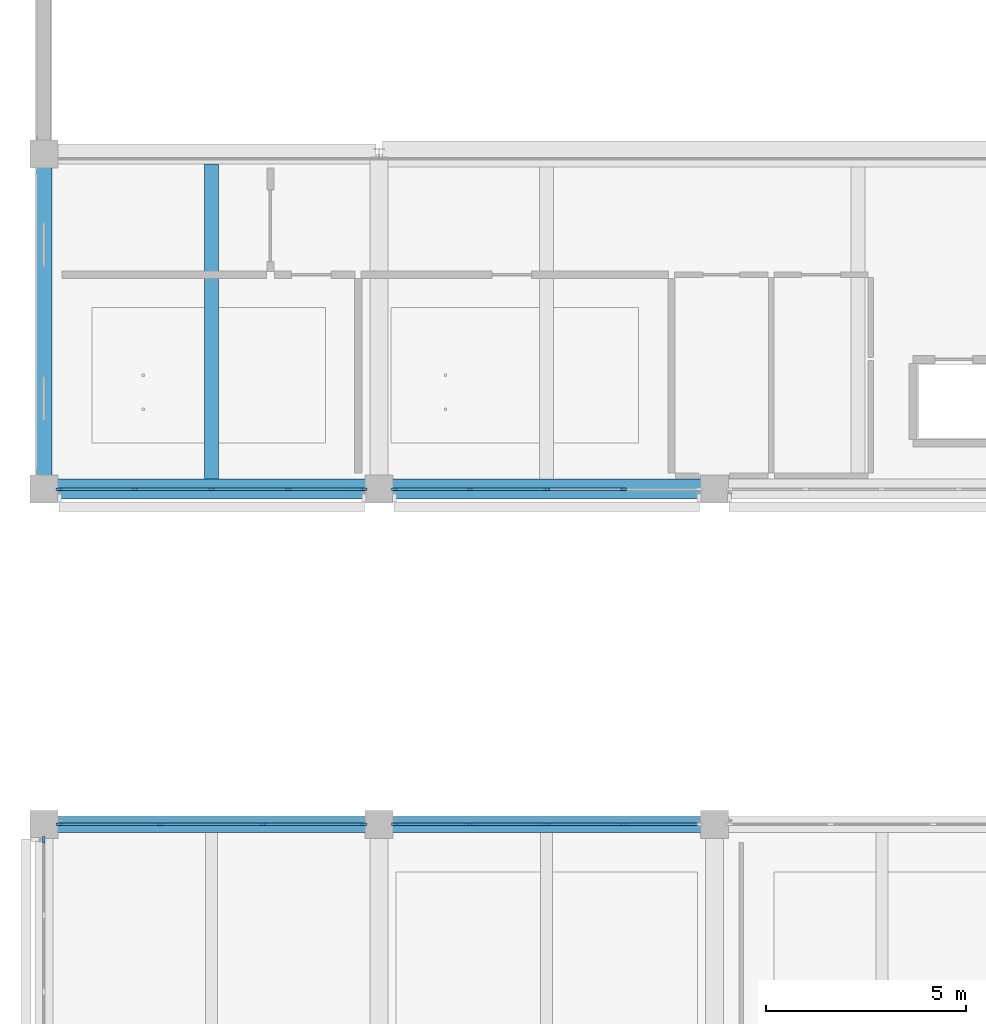
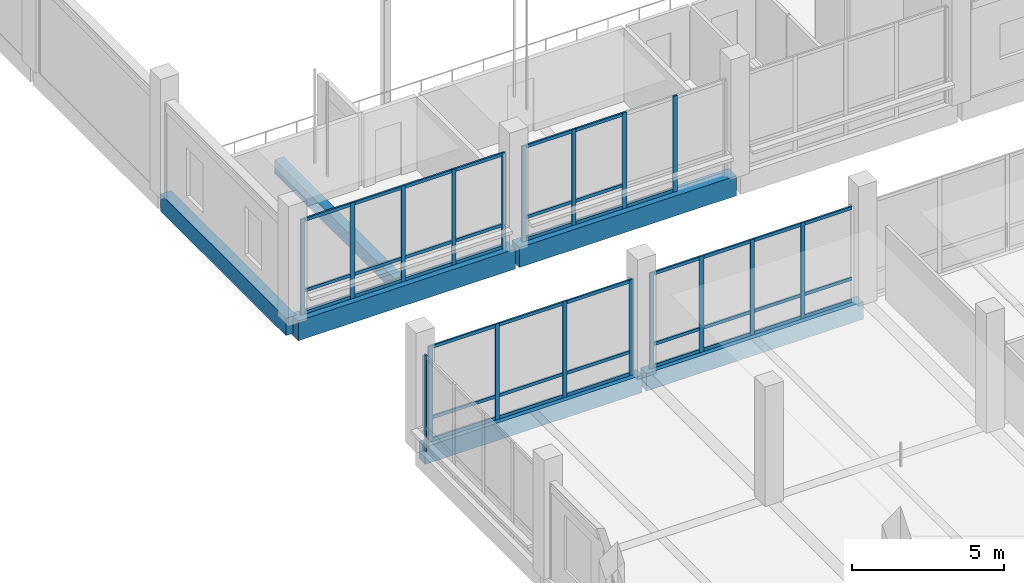
# One storey, part 29 of 128: 58 members, 6 beams, 5 elements without a shape of their own.
"""IFC4 building model written with IfcOpenShell, lengths in metres."""

from ifc_helpers import new_model, si_unit, direction, frame, origin, origin_2d, place, context, subcontext, project, spatial, rectangle, extrude, material, layer, layer_set, material_profile, profile_set, type_object, element, aggregate, save


model = new_model("IFC4")

# Units and contexts
model_context = context("Model", 3, precision=1e-05, world=origin(), true_north=direction((0.0, 1.0)))
body_context = subcontext(model_context, "Body", "Model", "MODEL_VIEW")
ifc_project = project(units=[si_unit("LENGTHUNIT", "METRE"), si_unit("AREAUNIT", "SQUARE_METRE"), si_unit("VOLUMEUNIT", "CUBIC_METRE"), si_unit("PLANEANGLEUNIT", "RADIAN"), si_unit("MASSUNIT", "GRAM", prefix="KILO")], contexts=[model_context])

# Site, building, storey
site_placement = place(None, origin())
site = spatial("IfcSite", under=ifc_project, at=site_placement, CompositionType="ELEMENT")
building_placement = place(site_placement, origin())
building = spatial("IfcBuilding", under=site, at=building_placement, Name="Telukmera Botanical Conservatory", CompositionType="ELEMENT")
storey_placement = place(building_placement, frame((0.0, 0.0, 5.39990234375)))
storey = spatial("IfcBuildingStorey", under=building, at=storey_placement, Name="L01", CompositionType="ELEMENT", Elevation=5.39990234375)

# Beams
ifc_material_1 = material(Name="Concrete C40/50", Category="concrete")
ifc_material_profile_1 = material_profile(ifc_material_1, rectangle(XDim=0.35009765625, YDim=0.550048828125, at=origin_2d()), Name="RC 350x550")
ifc_profile_set_1 = profile_set([ifc_material_profile_1], Name="Concrete C40/50")
beam_type_1 = type_object("IfcBeamType", Name="Beam_B21", PredefinedType="JOIST", material=ifc_profile_set_1)
beam_1_placement = place(storey_placement, frame((12.60009765625, 83.449951171875, -0.27490234375), z_axis=(0.0, 1.0, 0.0), x_axis=(-1.0, 0.0, 0.0)))
element("IfcBeam", 1, at=beam_1_placement, inside=storey, type_object=beam_type_1, Name="Auditorium Balcony Joist 1", PredefinedType="JOIST", context=body_context, shape_type="SweptSolid", body=[
    extrude(rectangle(XDim=0.35009765625, YDim=0.550048828125, at=origin_2d()), origin(), (0.0, 0.0, 1.0), 7.900146484375),
])
ifc_material_profile_2 = material_profile(ifc_material_1, rectangle(XDim=0.5, YDim=0.800048828125, at=origin_2d()), Name="RC 500x800")
ifc_profile_set_2 = profile_set([ifc_material_profile_2], Name="Concrete C40/50")
beam_type_2 = type_object("IfcBeamType", Name="Beam_B5", PredefinedType="BEAM", material=ifc_profile_set_2)
beam_2_placement = place(storey_placement, frame((8.47998046875, 83.199951171875, -0.39990234375), z_axis=(1.0, 0.0, 0.0), x_axis=(0.0, 1.0, 0.0)))
element("IfcBeam", 2, at=beam_2_placement, inside=storey, type_object=beam_type_2, Name="Auditorium Frame Beam beam:V2:L01:foy_s:84", PredefinedType="BEAM", context=body_context, shape_type="SweptSolid", body=[
    extrude(rectangle(XDim=0.5, YDim=0.800048828125, at=origin_2d()), origin(), (0.0, 0.0, 1.0), 8.239990234375),
])
beam_3_placement = place(storey_placement, frame((16.8798828125, 83.199951171875, -0.39990234375), z_axis=(1.0, 0.0, 0.0), x_axis=(0.0, 1.0, 0.0)))
element("IfcBeam", 3, at=beam_3_placement, inside=storey, type_object=beam_type_2, Name="Auditorium Frame Beam beam:V2:L01:foy_s:168", PredefinedType="BEAM", context=body_context, shape_type="SweptSolid", body=[
    extrude(rectangle(XDim=0.5, YDim=0.800048828125, at=origin_2d()), origin(), (0.0, 0.0, 1.0), 8.240234375),
])
ifc_material_profile_3 = material_profile(ifc_material_1, rectangle(XDim=0.39990234375, YDim=0.699951171875, at=origin_2d()), Name="RC 400x700")
ifc_profile_set_3 = profile_set([ifc_material_profile_3], Name="Concrete C40/50")
beam_type_3 = type_object("IfcBeamType", Name="Beam_B7", PredefinedType="BEAM", material=ifc_profile_set_3)
beam_4_placement = place(storey_placement, frame((8.47998046875, 74.800048828125, -0.349853515625), z_axis=(1.0, 0.0, 0.0), x_axis=(0.0, 1.0, 0.0)))
element("IfcBeam", 4, at=beam_4_placement, inside=storey, type_object=beam_type_3, Name="Visitor Wing Grid Beam L01", PredefinedType="BEAM", context=body_context, shape_type="SweptSolid", body=[
    extrude(rectangle(XDim=0.39990234375, YDim=0.699951171875, at=origin_2d()), origin(), (0.0, 0.0, 1.0), 8.239990234375),
])
beam_5_placement = place(storey_placement, frame((16.8798828125, 74.800048828125, -0.349853515625), z_axis=(1.0, 0.0, 0.0), x_axis=(0.0, 1.0, 0.0)))
element("IfcBeam", 5, at=beam_5_placement, inside=storey, type_object=beam_type_3, Name="Visitor Wing Grid Beam L01", PredefinedType="BEAM", context=body_context, shape_type="SweptSolid", body=[
    extrude(rectangle(XDim=0.39990234375, YDim=0.699951171875, at=origin_2d()), origin(), (0.0, 0.0, 1.0), 8.240234375),
])
beam_6_placement = place(storey_placement, frame((8.39990234375, 83.280029296875, -0.349853515625), z_axis=(0.0, 1.0, 0.0), x_axis=(-1.0, 0.0, 0.0)))
element("IfcBeam", 6, at=beam_6_placement, inside=storey, type_object=beam_type_3, Name="Auditorium Frame Beam beam:V2:L01:gy:84:832", PredefinedType="BEAM", context=body_context, shape_type="SweptSolid", body=[
    extrude(rectangle(XDim=0.39990234375, YDim=0.699951171875, at=origin_2d()), origin(), (0.0, 0.0, 1.0), 8.239990234375),
])

# Curtain wall, members
ifc_material_2 = material(Name="Anodised aluminium 6063-T6", Category="aluminium")
ifc_layer_1 = layer(ifc_material_2, 0.179931640625)
ifc_layer_set_1 = layer_set([ifc_layer_1], Name="Anodised aluminium 6063-T6")
curtain_wall_type_1 = type_object("IfcCurtainWallType", Name="Auditorium Upper Foyer Acoustic Curtain Wall", PredefinedType="USERDEFINED", material=ifc_layer_set_1)
curtain_wall_1_placement = place(storey_placement, origin())
curtain_wall_1 = element("IfcCurtainWall", 7, at=curtain_wall_1_placement, inside=storey, type_object=curtain_wall_type_1, Name="Unitised Curtain Wall CW05 V2:L01:S1", ObjectType="UNITISED CURTAIN WALL", PredefinedType="USERDEFINED")
ifc_material_profile_4 = material_profile(ifc_material_2, rectangle(XDim=0.06494140625, YDim=0.159912109375, at=origin_2d()), Name="ALU MULL 65x160")
ifc_profile_set_4 = profile_set([ifc_material_profile_4], Name="Anodised aluminium 6063-T6")
member_type_1 = type_object("IfcMemberType", Name="Curtain Wall Extruded Mullion 65x160", PredefinedType="MULLION", material=ifc_profile_set_4)
member_1_placement = place(storey_placement, frame((8.784423828125, 83.199951171875, 0.0), z_axis=(0.0, 0.0, 1.0), x_axis=(0.0, 1.0, 0.0)))
member_1 = element("IfcMember", 8, at=member_1_placement, type_object=member_type_1, Name="CW05 mullion 1", PredefinedType="MULLION", context=body_context, shape_type="SweptSolid", body=[
    extrude(rectangle(XDim=0.06494140625, YDim=0.159912109375, at=origin_2d()), origin(), (0.0, 0.0, 1.0), 3.85009765625),
])
member_2_placement = place(storey_placement, frame((10.676025390625, 83.199951171875, 0.0), z_axis=(0.0, 0.0, 1.0), x_axis=(0.0, 1.0, 0.0)))
member_2 = element("IfcMember", 9, at=member_2_placement, type_object=member_type_1, Name="CW05 mullion 2", PredefinedType="MULLION", context=body_context, shape_type="SweptSolid", body=[
    extrude(rectangle(XDim=0.06494140625, YDim=0.159912109375, at=origin_2d()), origin(), (0.0, 0.0, 1.0), 3.85009765625),
])
member_3_placement = place(storey_placement, frame((12.60009765625, 83.199951171875, 0.0), z_axis=(0.0, 0.0, 1.0), x_axis=(0.0, 1.0, 0.0)))
member_3 = element("IfcMember", 10, at=member_3_placement, type_object=member_type_1, Name="CW05 mullion 3", PredefinedType="MULLION", context=body_context, shape_type="SweptSolid", body=[
    extrude(rectangle(XDim=0.06494140625, YDim=0.159912109375, at=origin_2d()), origin(), (0.0, 0.0, 1.0), 3.85009765625),
])
member_4_placement = place(storey_placement, frame((14.52392578125, 83.199951171875, 0.0), z_axis=(0.0, 0.0, 1.0), x_axis=(0.0, 1.0, 0.0)))
member_4 = element("IfcMember", 11, at=member_4_placement, type_object=member_type_1, Name="CW05 mullion 4", PredefinedType="MULLION", context=body_context, shape_type="SweptSolid", body=[
    extrude(rectangle(XDim=0.06494140625, YDim=0.159912109375, at=origin_2d()), origin(), (0.0, 0.0, 1.0), 3.85009765625),
])
member_5_placement = place(storey_placement, frame((16.41552734375, 83.199951171875, 0.0), z_axis=(0.0, 0.0, 1.0), x_axis=(0.0, 1.0, 0.0)))
member_5 = element("IfcMember", 12, at=member_5_placement, type_object=member_type_1, Name="CW05 mullion 5", PredefinedType="MULLION", context=body_context, shape_type="SweptSolid", body=[
    extrude(rectangle(XDim=0.06494140625, YDim=0.159912109375, at=origin_2d()), origin(), (0.0, 0.0, 1.0), 3.85009765625),
])

curtain_wall_2_placement = place(storey_placement, origin())
curtain_wall_2 = element("IfcCurtainWall", 13, at=curtain_wall_2_placement, inside=storey, type_object=curtain_wall_type_1, Name="Unitised Curtain Wall CW05 V2:L01:S2", ObjectType="UNITISED CURTAIN WALL", PredefinedType="USERDEFINED")
member_6_placement = place(storey_placement, frame((17.1845703125, 83.199951171875, 0.0), z_axis=(0.0, 0.0, 1.0), x_axis=(0.0, 1.0, 0.0)))
member_6 = element("IfcMember", 14, at=member_6_placement, type_object=member_type_1, Name="CW05 mullion 1", PredefinedType="MULLION", context=body_context, shape_type="SweptSolid", body=[
    extrude(rectangle(XDim=0.06494140625, YDim=0.159912109375, at=origin_2d()), origin(), (0.0, 0.0, 1.0), 3.85009765625),
])
member_7_placement = place(storey_placement, frame((19.075927734375, 83.199951171875, 0.0), z_axis=(0.0, 0.0, 1.0), x_axis=(0.0, 1.0, 0.0)))
member_7 = element("IfcMember", 15, at=member_7_placement, type_object=member_type_1, Name="CW05 mullion 2", PredefinedType="MULLION", context=body_context, shape_type="SweptSolid", body=[
    extrude(rectangle(XDim=0.06494140625, YDim=0.159912109375, at=origin_2d()), origin(), (0.0, 0.0, 1.0), 3.85009765625),
])
member_8_placement = place(storey_placement, frame((21.0, 83.199951171875, 0.0), z_axis=(0.0, 0.0, 1.0), x_axis=(0.0, 1.0, 0.0)))
member_8 = element("IfcMember", 16, at=member_8_placement, type_object=member_type_1, Name="CW05 mullion 3", PredefinedType="MULLION", context=body_context, shape_type="SweptSolid", body=[
    extrude(rectangle(XDim=0.06494140625, YDim=0.159912109375, at=origin_2d()), origin(), (0.0, 0.0, 1.0), 3.85009765625),
])
member_9_placement = place(storey_placement, frame((22.924072265625, 83.199951171875, 0.0), z_axis=(0.0, 0.0, 1.0), x_axis=(0.0, 1.0, 0.0)))
member_9 = element("IfcMember", 17, at=member_9_placement, type_object=member_type_1, Name="CW05 mullion 4", PredefinedType="MULLION", context=body_context, shape_type="SweptSolid", body=[
    extrude(rectangle(XDim=0.06494140625, YDim=0.159912109375, at=origin_2d()), origin(), (0.0, 0.0, 1.0), 3.85009765625),
])

ifc_layer_2 = layer(ifc_material_2, 0.179931640625)
ifc_layer_set_2 = layer_set([ifc_layer_2], Name="Anodised aluminium 6063-T6")
curtain_wall_type_2 = type_object("IfcCurtainWallType", Name="Visitor Gallery Second Floor Curtain Wall 2400 Mod", PredefinedType="USERDEFINED", material=ifc_layer_set_2)
curtain_wall_3_placement = place(storey_placement, origin())
curtain_wall_3 = element("IfcCurtainWall", 18, at=curtain_wall_3_placement, inside=storey, type_object=curtain_wall_type_2, Name="Unitised Curtain Wall CW09 V3:L01:N1", ObjectType="UNITISED CURTAIN WALL", PredefinedType="USERDEFINED")
member_10_placement = place(storey_placement, frame((8.784423828125, 74.800048828125, 0.0), z_axis=(0.0, 0.0, 1.0), x_axis=(0.0, 1.0, 0.0)))
member_10 = element("IfcMember", 19, at=member_10_placement, type_object=member_type_1, Name="CW09 mullion 1", PredefinedType="MULLION", context=body_context, shape_type="SweptSolid", body=[
    extrude(rectangle(XDim=0.06494140625, YDim=0.159912109375, at=origin_2d()), origin(), (0.0, 0.0, 1.0), 3.85009765625),
])
member_11_placement = place(storey_placement, frame((11.3173828125, 74.800048828125, 0.0), z_axis=(0.0, 0.0, 1.0), x_axis=(0.0, 1.0, 0.0)))
member_11 = element("IfcMember", 20, at=member_11_placement, type_object=member_type_1, Name="CW09 mullion 2", PredefinedType="MULLION", context=body_context, shape_type="SweptSolid", body=[
    extrude(rectangle(XDim=0.06494140625, YDim=0.159912109375, at=origin_2d()), origin(), (0.0, 0.0, 1.0), 3.85009765625),
])
member_12_placement = place(storey_placement, frame((13.882568359375, 74.800048828125, 0.0), z_axis=(0.0, 0.0, 1.0), x_axis=(0.0, 1.0, 0.0)))
member_12 = element("IfcMember", 21, at=member_12_placement, type_object=member_type_1, Name="CW09 mullion 3", PredefinedType="MULLION", context=body_context, shape_type="SweptSolid", body=[
    extrude(rectangle(XDim=0.06494140625, YDim=0.159912109375, at=origin_2d()), origin(), (0.0, 0.0, 1.0), 3.85009765625),
])
member_13_placement = place(storey_placement, frame((16.41552734375, 74.800048828125, 0.0), z_axis=(0.0, 0.0, 1.0), x_axis=(0.0, 1.0, 0.0)))
member_13 = element("IfcMember", 22, at=member_13_placement, type_object=member_type_1, Name="CW09 mullion 4", PredefinedType="MULLION", context=body_context, shape_type="SweptSolid", body=[
    extrude(rectangle(XDim=0.06494140625, YDim=0.159912109375, at=origin_2d()), origin(), (0.0, 0.0, 1.0), 3.85009765625),
])

ifc_layer_3 = layer(ifc_material_2, 0.179931640625)
ifc_layer_set_3 = layer_set([ifc_layer_3], Name="Anodised aluminium 6063-T6")
curtain_wall_type_3 = type_object("IfcCurtainWallType", Name="Visitor Gallery First Floor Curtain Wall 1800 Mod", PredefinedType="USERDEFINED", material=ifc_layer_set_3)
curtain_wall_4_placement = place(storey_placement, origin())
curtain_wall_4 = element("IfcCurtainWall", 23, at=curtain_wall_4_placement, inside=storey, type_object=curtain_wall_type_3, Name="Unitised Curtain Wall CW08 V3:L01:N2", ObjectType="UNITISED CURTAIN WALL", PredefinedType="USERDEFINED")
member_14_placement = place(storey_placement, frame((17.1845703125, 74.800048828125, 0.0), z_axis=(0.0, 0.0, 1.0), x_axis=(0.0, 1.0, 0.0)))
member_14 = element("IfcMember", 24, at=member_14_placement, type_object=member_type_1, Name="CW08 mullion 1", PredefinedType="MULLION", context=body_context, shape_type="SweptSolid", body=[
    extrude(rectangle(XDim=0.06494140625, YDim=0.159912109375, at=origin_2d()), origin(), (0.0, 0.0, 1.0), 3.85009765625),
])
member_15_placement = place(storey_placement, frame((19.075927734375, 74.800048828125, 0.0), z_axis=(0.0, 0.0, 1.0), x_axis=(0.0, 1.0, 0.0)))
member_15 = element("IfcMember", 25, at=member_15_placement, type_object=member_type_1, Name="CW08 mullion 2", PredefinedType="MULLION", context=body_context, shape_type="SweptSolid", body=[
    extrude(rectangle(XDim=0.06494140625, YDim=0.159912109375, at=origin_2d()), origin(), (0.0, 0.0, 1.0), 3.85009765625),
])
member_16_placement = place(storey_placement, frame((21.0, 74.800048828125, 0.0), z_axis=(0.0, 0.0, 1.0), x_axis=(0.0, 1.0, 0.0)))
member_16 = element("IfcMember", 26, at=member_16_placement, type_object=member_type_1, Name="CW08 mullion 3", PredefinedType="MULLION", context=body_context, shape_type="SweptSolid", body=[
    extrude(rectangle(XDim=0.06494140625, YDim=0.159912109375, at=origin_2d()), origin(), (0.0, 0.0, 1.0), 3.85009765625),
])
member_17_placement = place(storey_placement, frame((22.924072265625, 74.800048828125, 0.0), z_axis=(0.0, 0.0, 1.0), x_axis=(0.0, 1.0, 0.0)))
member_17 = element("IfcMember", 27, at=member_17_placement, type_object=member_type_1, Name="CW08 mullion 4", PredefinedType="MULLION", context=body_context, shape_type="SweptSolid", body=[
    extrude(rectangle(XDim=0.06494140625, YDim=0.159912109375, at=origin_2d()), origin(), (0.0, 0.0, 1.0), 3.85009765625),
])

# Curtain wall, member
curtain_wall_5_placement = place(storey_placement, origin())
curtain_wall_5 = element("IfcCurtainWall", 28, at=curtain_wall_5_placement, inside=storey, type_object=curtain_wall_type_3, Name="Unitised Curtain Wall CW08 V3:L01:W7", ObjectType="UNITISED CURTAIN WALL", PredefinedType="USERDEFINED")
member_18_placement = place(storey_placement, frame((8.39990234375, 74.41552734375, 0.0), z_axis=(0.0, 0.0, 1.0), x_axis=(-1.0, 0.0, 0.0)))
member_18 = element("IfcMember", 29, at=member_18_placement, type_object=member_type_1, Name="CW08 mullion 5", PredefinedType="MULLION", context=body_context, shape_type="SweptSolid", body=[
    extrude(rectangle(XDim=0.06494140625, YDim=0.159912109375, at=origin_2d()), origin(), (0.0, 0.0, 1.0), 3.85009765625),
])
aggregate(curtain_wall_5, [member_18])

# Member
ifc_material_profile_5 = material_profile(ifc_material_2, rectangle(XDim=0.06494140625, YDim=0.1298828125, at=origin_2d()), Name="ALU TRAN 65x130")
ifc_profile_set_5 = profile_set([ifc_material_profile_5], Name="Anodised aluminium 6063-T6")
member_type_2 = type_object("IfcMemberType", Name="Curtain Wall Extruded Transom 65x130", PredefinedType="USERDEFINED", material=ifc_profile_set_5)
member_19_placement = place(storey_placement, frame((8.81689453125, 83.199951171875, 0.065185546875), z_axis=(1.0, 0.0, 0.0), x_axis=(0.0, 1.0, 0.0)))
member_19 = element("IfcMember", 30, at=member_19_placement, type_object=member_type_2, Name="CW05 transom 1.1", ObjectType="TRANSOM", PredefinedType="USERDEFINED", context=body_context, shape_type="SweptSolid", body=[
    extrude(rectangle(XDim=0.06494140625, YDim=0.1298828125, at=origin_2d()), origin(), (0.0, 0.0, 1.0), 1.82666015625),
])

member_20_placement = place(storey_placement, frame((8.81689453125, 83.199951171875, 0.9501953125), z_axis=(1.0, 0.0, 0.0), x_axis=(0.0, 1.0, 0.0)))
member_20 = element("IfcMember", 31, at=member_20_placement, type_object=member_type_2, Name="CW05 transom 1.2", ObjectType="TRANSOM", PredefinedType="USERDEFINED", context=body_context, shape_type="SweptSolid", body=[
    extrude(rectangle(XDim=0.06494140625, YDim=0.1298828125, at=origin_2d()), origin(), (0.0, 0.0, 1.0), 1.82666015625),
])

member_21_placement = place(storey_placement, frame((8.81689453125, 83.199951171875, 3.78515625), z_axis=(1.0, 0.0, 0.0), x_axis=(0.0, 1.0, 0.0)))
member_21 = element("IfcMember", 32, at=member_21_placement, type_object=member_type_2, Name="CW05 transom 1.3", ObjectType="TRANSOM", PredefinedType="USERDEFINED", context=body_context, shape_type="SweptSolid", body=[
    extrude(rectangle(XDim=0.06494140625, YDim=0.1298828125, at=origin_2d()), origin(), (0.0, 0.0, 1.0), 1.82666015625),
])

member_22_placement = place(storey_placement, frame((10.70849609375, 83.199951171875, 0.065185546875), z_axis=(1.0, 0.0, 0.0), x_axis=(0.0, 1.0, 0.0)))
member_22 = element("IfcMember", 33, at=member_22_placement, type_object=member_type_2, Name="CW05 transom 2.1", ObjectType="TRANSOM", PredefinedType="USERDEFINED", context=body_context, shape_type="SweptSolid", body=[
    extrude(rectangle(XDim=0.06494140625, YDim=0.1298828125, at=origin_2d()), origin(), (0.0, 0.0, 1.0), 1.85888671875),
])

member_23_placement = place(storey_placement, frame((10.70849609375, 83.199951171875, 0.9501953125), z_axis=(1.0, 0.0, 0.0), x_axis=(0.0, 1.0, 0.0)))
member_23 = element("IfcMember", 34, at=member_23_placement, type_object=member_type_2, Name="CW05 transom 2.2", ObjectType="TRANSOM", PredefinedType="USERDEFINED", context=body_context, shape_type="SweptSolid", body=[
    extrude(rectangle(XDim=0.06494140625, YDim=0.1298828125, at=origin_2d()), origin(), (0.0, 0.0, 1.0), 1.85888671875),
])

member_24_placement = place(storey_placement, frame((10.70849609375, 83.199951171875, 3.78515625), z_axis=(1.0, 0.0, 0.0), x_axis=(0.0, 1.0, 0.0)))
member_24 = element("IfcMember", 35, at=member_24_placement, type_object=member_type_2, Name="CW05 transom 2.3", ObjectType="TRANSOM", PredefinedType="USERDEFINED", context=body_context, shape_type="SweptSolid", body=[
    extrude(rectangle(XDim=0.06494140625, YDim=0.1298828125, at=origin_2d()), origin(), (0.0, 0.0, 1.0), 1.85888671875),
])

member_25_placement = place(storey_placement, frame((12.632568359375, 83.199951171875, 0.065185546875), z_axis=(1.0, 0.0, 0.0), x_axis=(0.0, 1.0, 0.0)))
member_25 = element("IfcMember", 36, at=member_25_placement, type_object=member_type_2, Name="CW05 transom 3.1", ObjectType="TRANSOM", PredefinedType="USERDEFINED", context=body_context, shape_type="SweptSolid", body=[
    extrude(rectangle(XDim=0.06494140625, YDim=0.1298828125, at=origin_2d()), origin(), (0.0, 0.0, 1.0), 1.85888671875),
])

member_26_placement = place(storey_placement, frame((12.632568359375, 83.199951171875, 0.9501953125), z_axis=(1.0, 0.0, 0.0), x_axis=(0.0, 1.0, 0.0)))
member_26 = element("IfcMember", 37, at=member_26_placement, type_object=member_type_2, Name="CW05 transom 3.2", ObjectType="TRANSOM", PredefinedType="USERDEFINED", context=body_context, shape_type="SweptSolid", body=[
    extrude(rectangle(XDim=0.06494140625, YDim=0.1298828125, at=origin_2d()), origin(), (0.0, 0.0, 1.0), 1.85888671875),
])

member_27_placement = place(storey_placement, frame((12.632568359375, 83.199951171875, 3.78515625), z_axis=(1.0, 0.0, 0.0), x_axis=(0.0, 1.0, 0.0)))
member_27 = element("IfcMember", 38, at=member_27_placement, type_object=member_type_2, Name="CW05 transom 3.3", ObjectType="TRANSOM", PredefinedType="USERDEFINED", context=body_context, shape_type="SweptSolid", body=[
    extrude(rectangle(XDim=0.06494140625, YDim=0.1298828125, at=origin_2d()), origin(), (0.0, 0.0, 1.0), 1.85888671875),
])

member_28_placement = place(storey_placement, frame((14.556396484375, 83.199951171875, 0.065185546875), z_axis=(1.0, 0.0, 0.0), x_axis=(0.0, 1.0, 0.0)))
member_28 = element("IfcMember", 39, at=member_28_placement, type_object=member_type_2, Name="CW05 transom 4.1", ObjectType="TRANSOM", PredefinedType="USERDEFINED", context=body_context, shape_type="SweptSolid", body=[
    extrude(rectangle(XDim=0.06494140625, YDim=0.1298828125, at=origin_2d()), origin(), (0.0, 0.0, 1.0), 1.82666015625),
])

member_29_placement = place(storey_placement, frame((14.556396484375, 83.199951171875, 0.9501953125), z_axis=(1.0, 0.0, 0.0), x_axis=(0.0, 1.0, 0.0)))
member_29 = element("IfcMember", 40, at=member_29_placement, type_object=member_type_2, Name="CW05 transom 4.2", ObjectType="TRANSOM", PredefinedType="USERDEFINED", context=body_context, shape_type="SweptSolid", body=[
    extrude(rectangle(XDim=0.06494140625, YDim=0.1298828125, at=origin_2d()), origin(), (0.0, 0.0, 1.0), 1.82666015625),
])

member_30_placement = place(storey_placement, frame((14.556396484375, 83.199951171875, 3.78515625), z_axis=(1.0, 0.0, 0.0), x_axis=(0.0, 1.0, 0.0)))
member_30 = element("IfcMember", 41, at=member_30_placement, type_object=member_type_2, Name="CW05 transom 4.3", ObjectType="TRANSOM", PredefinedType="USERDEFINED", context=body_context, shape_type="SweptSolid", body=[
    extrude(rectangle(XDim=0.06494140625, YDim=0.1298828125, at=origin_2d()), origin(), (0.0, 0.0, 1.0), 1.82666015625),
])

aggregate(curtain_wall_1, [member_1, member_2, member_3, member_4, member_5, member_19, member_20, member_21, member_22, member_23, member_24, member_25, member_26, member_27, member_28, member_29, member_30])

member_31_placement = place(storey_placement, frame((17.217041015625, 83.199951171875, 0.065185546875), z_axis=(1.0, 0.0, 0.0), x_axis=(0.0, 1.0, 0.0)))
member_31 = element("IfcMember", 42, at=member_31_placement, type_object=member_type_2, Name="CW05 transom 1.1", ObjectType="TRANSOM", PredefinedType="USERDEFINED", context=body_context, shape_type="SweptSolid", body=[
    extrude(rectangle(XDim=0.06494140625, YDim=0.1298828125, at=origin_2d()), origin(), (0.0, 0.0, 1.0), 1.826416015625),
])

member_32_placement = place(storey_placement, frame((17.217041015625, 83.199951171875, 0.9501953125), z_axis=(1.0, 0.0, 0.0), x_axis=(0.0, 1.0, 0.0)))
member_32 = element("IfcMember", 43, at=member_32_placement, type_object=member_type_2, Name="CW05 transom 1.2", ObjectType="TRANSOM", PredefinedType="USERDEFINED", context=body_context, shape_type="SweptSolid", body=[
    extrude(rectangle(XDim=0.06494140625, YDim=0.1298828125, at=origin_2d()), origin(), (0.0, 0.0, 1.0), 1.826416015625),
])

member_33_placement = place(storey_placement, frame((17.217041015625, 83.199951171875, 3.78515625), z_axis=(1.0, 0.0, 0.0), x_axis=(0.0, 1.0, 0.0)))
member_33 = element("IfcMember", 44, at=member_33_placement, type_object=member_type_2, Name="CW05 transom 1.3", ObjectType="TRANSOM", PredefinedType="USERDEFINED", context=body_context, shape_type="SweptSolid", body=[
    extrude(rectangle(XDim=0.06494140625, YDim=0.1298828125, at=origin_2d()), origin(), (0.0, 0.0, 1.0), 1.826416015625),
])

member_34_placement = place(storey_placement, frame((19.1083984375, 83.199951171875, 0.065185546875), z_axis=(1.0, 0.0, 0.0), x_axis=(0.0, 1.0, 0.0)))
member_34 = element("IfcMember", 45, at=member_34_placement, type_object=member_type_2, Name="CW05 transom 2.1", ObjectType="TRANSOM", PredefinedType="USERDEFINED", context=body_context, shape_type="SweptSolid", body=[
    extrude(rectangle(XDim=0.06494140625, YDim=0.1298828125, at=origin_2d()), origin(), (0.0, 0.0, 1.0), 1.859130859375),
])

member_35_placement = place(storey_placement, frame((19.1083984375, 83.199951171875, 0.9501953125), z_axis=(1.0, 0.0, 0.0), x_axis=(0.0, 1.0, 0.0)))
member_35 = element("IfcMember", 46, at=member_35_placement, type_object=member_type_2, Name="CW05 transom 2.2", ObjectType="TRANSOM", PredefinedType="USERDEFINED", context=body_context, shape_type="SweptSolid", body=[
    extrude(rectangle(XDim=0.06494140625, YDim=0.1298828125, at=origin_2d()), origin(), (0.0, 0.0, 1.0), 1.859130859375),
])

member_36_placement = place(storey_placement, frame((19.1083984375, 83.199951171875, 3.78515625), z_axis=(1.0, 0.0, 0.0), x_axis=(0.0, 1.0, 0.0)))
member_36 = element("IfcMember", 47, at=member_36_placement, type_object=member_type_2, Name="CW05 transom 2.3", ObjectType="TRANSOM", PredefinedType="USERDEFINED", context=body_context, shape_type="SweptSolid", body=[
    extrude(rectangle(XDim=0.06494140625, YDim=0.1298828125, at=origin_2d()), origin(), (0.0, 0.0, 1.0), 1.859130859375),
])

member_37_placement = place(storey_placement, frame((21.032470703125, 83.199951171875, 0.065185546875), z_axis=(1.0, 0.0, 0.0), x_axis=(0.0, 1.0, 0.0)))
member_37 = element("IfcMember", 48, at=member_37_placement, type_object=member_type_2, Name="CW05 transom 3.1", ObjectType="TRANSOM", PredefinedType="USERDEFINED", context=body_context, shape_type="SweptSolid", body=[
    extrude(rectangle(XDim=0.06494140625, YDim=0.1298828125, at=origin_2d()), origin(), (0.0, 0.0, 1.0), 1.859130859375),
])

aggregate(curtain_wall_2, [member_6, member_7, member_8, member_9, member_31, member_32, member_33, member_34, member_35, member_36, member_37])

member_38_placement = place(storey_placement, frame((8.81689453125, 74.800048828125, 0.065185546875), z_axis=(1.0, 0.0, 0.0), x_axis=(0.0, 1.0, 0.0)))
member_38 = element("IfcMember", 49, at=member_38_placement, type_object=member_type_2, Name="CW09 transom 1.1", ObjectType="TRANSOM", PredefinedType="USERDEFINED", context=body_context, shape_type="SweptSolid", body=[
    extrude(rectangle(XDim=0.06494140625, YDim=0.1298828125, at=origin_2d()), origin(), (0.0, 0.0, 1.0), 2.468017578125),
])

member_39_placement = place(storey_placement, frame((8.81689453125, 74.800048828125, 0.9501953125), z_axis=(1.0, 0.0, 0.0), x_axis=(0.0, 1.0, 0.0)))
member_39 = element("IfcMember", 50, at=member_39_placement, type_object=member_type_2, Name="CW09 transom 1.2", ObjectType="TRANSOM", PredefinedType="USERDEFINED", context=body_context, shape_type="SweptSolid", body=[
    extrude(rectangle(XDim=0.06494140625, YDim=0.1298828125, at=origin_2d()), origin(), (0.0, 0.0, 1.0), 2.468017578125),
])

member_40_placement = place(storey_placement, frame((8.81689453125, 74.800048828125, 3.78515625), z_axis=(1.0, 0.0, 0.0), x_axis=(0.0, 1.0, 0.0)))
member_40 = element("IfcMember", 51, at=member_40_placement, type_object=member_type_2, Name="CW09 transom 1.3", ObjectType="TRANSOM", PredefinedType="USERDEFINED", context=body_context, shape_type="SweptSolid", body=[
    extrude(rectangle(XDim=0.06494140625, YDim=0.1298828125, at=origin_2d()), origin(), (0.0, 0.0, 1.0), 2.468017578125),
])

member_41_placement = place(storey_placement, frame((11.349853515625, 74.800048828125, 0.065185546875), z_axis=(1.0, 0.0, 0.0), x_axis=(0.0, 1.0, 0.0)))
member_41 = element("IfcMember", 52, at=member_41_placement, type_object=member_type_2, Name="CW09 transom 2.1", ObjectType="TRANSOM", PredefinedType="USERDEFINED", context=body_context, shape_type="SweptSolid", body=[
    extrude(rectangle(XDim=0.06494140625, YDim=0.1298828125, at=origin_2d()), origin(), (0.0, 0.0, 1.0), 2.500244140625),
])

member_42_placement = place(storey_placement, frame((11.349853515625, 74.800048828125, 0.9501953125), z_axis=(1.0, 0.0, 0.0), x_axis=(0.0, 1.0, 0.0)))
member_42 = element("IfcMember", 53, at=member_42_placement, type_object=member_type_2, Name="CW09 transom 2.2", ObjectType="TRANSOM", PredefinedType="USERDEFINED", context=body_context, shape_type="SweptSolid", body=[
    extrude(rectangle(XDim=0.06494140625, YDim=0.1298828125, at=origin_2d()), origin(), (0.0, 0.0, 1.0), 2.500244140625),
])

member_43_placement = place(storey_placement, frame((11.349853515625, 74.800048828125, 3.78515625), z_axis=(1.0, 0.0, 0.0), x_axis=(0.0, 1.0, 0.0)))
member_43 = element("IfcMember", 54, at=member_43_placement, type_object=member_type_2, Name="CW09 transom 2.3", ObjectType="TRANSOM", PredefinedType="USERDEFINED", context=body_context, shape_type="SweptSolid", body=[
    extrude(rectangle(XDim=0.06494140625, YDim=0.1298828125, at=origin_2d()), origin(), (0.0, 0.0, 1.0), 2.500244140625),
])

member_44_placement = place(storey_placement, frame((13.915283203125, 74.800048828125, 0.065185546875), z_axis=(1.0, 0.0, 0.0), x_axis=(0.0, 1.0, 0.0)))
member_44 = element("IfcMember", 55, at=member_44_placement, type_object=member_type_2, Name="CW09 transom 3.1", ObjectType="TRANSOM", PredefinedType="USERDEFINED", context=body_context, shape_type="SweptSolid", body=[
    extrude(rectangle(XDim=0.06494140625, YDim=0.1298828125, at=origin_2d()), origin(), (0.0, 0.0, 1.0), 2.4677734375),
])

member_45_placement = place(storey_placement, frame((13.915283203125, 74.800048828125, 0.9501953125), z_axis=(1.0, 0.0, 0.0), x_axis=(0.0, 1.0, 0.0)))
member_45 = element("IfcMember", 56, at=member_45_placement, type_object=member_type_2, Name="CW09 transom 3.2", ObjectType="TRANSOM", PredefinedType="USERDEFINED", context=body_context, shape_type="SweptSolid", body=[
    extrude(rectangle(XDim=0.06494140625, YDim=0.1298828125, at=origin_2d()), origin(), (0.0, 0.0, 1.0), 2.4677734375),
])

member_46_placement = place(storey_placement, frame((13.915283203125, 74.800048828125, 3.78515625), z_axis=(1.0, 0.0, 0.0), x_axis=(0.0, 1.0, 0.0)))
member_46 = element("IfcMember", 57, at=member_46_placement, type_object=member_type_2, Name="CW09 transom 3.3", ObjectType="TRANSOM", PredefinedType="USERDEFINED", context=body_context, shape_type="SweptSolid", body=[
    extrude(rectangle(XDim=0.06494140625, YDim=0.1298828125, at=origin_2d()), origin(), (0.0, 0.0, 1.0), 2.4677734375),
])

aggregate(curtain_wall_3, [member_10, member_11, member_12, member_13, member_38, member_39, member_40, member_41, member_42, member_43, member_44, member_45, member_46])

member_47_placement = place(storey_placement, frame((17.217041015625, 74.800048828125, 0.065185546875), z_axis=(1.0, 0.0, 0.0), x_axis=(0.0, 1.0, 0.0)))
member_47 = element("IfcMember", 58, at=member_47_placement, type_object=member_type_2, Name="CW08 transom 1.1", ObjectType="TRANSOM", PredefinedType="USERDEFINED", context=body_context, shape_type="SweptSolid", body=[
    extrude(rectangle(XDim=0.06494140625, YDim=0.1298828125, at=origin_2d()), origin(), (0.0, 0.0, 1.0), 1.826416015625),
])

member_48_placement = place(storey_placement, frame((17.217041015625, 74.800048828125, 0.9501953125), z_axis=(1.0, 0.0, 0.0), x_axis=(0.0, 1.0, 0.0)))
member_48 = element("IfcMember", 59, at=member_48_placement, type_object=member_type_2, Name="CW08 transom 1.2", ObjectType="TRANSOM", PredefinedType="USERDEFINED", context=body_context, shape_type="SweptSolid", body=[
    extrude(rectangle(XDim=0.06494140625, YDim=0.1298828125, at=origin_2d()), origin(), (0.0, 0.0, 1.0), 1.826416015625),
])

member_49_placement = place(storey_placement, frame((17.217041015625, 74.800048828125, 3.78515625), z_axis=(1.0, 0.0, 0.0), x_axis=(0.0, 1.0, 0.0)))
member_49 = element("IfcMember", 60, at=member_49_placement, type_object=member_type_2, Name="CW08 transom 1.3", ObjectType="TRANSOM", PredefinedType="USERDEFINED", context=body_context, shape_type="SweptSolid", body=[
    extrude(rectangle(XDim=0.06494140625, YDim=0.1298828125, at=origin_2d()), origin(), (0.0, 0.0, 1.0), 1.826416015625),
])

member_50_placement = place(storey_placement, frame((19.1083984375, 74.800048828125, 0.065185546875), z_axis=(1.0, 0.0, 0.0), x_axis=(0.0, 1.0, 0.0)))
member_50 = element("IfcMember", 61, at=member_50_placement, type_object=member_type_2, Name="CW08 transom 2.1", ObjectType="TRANSOM", PredefinedType="USERDEFINED", context=body_context, shape_type="SweptSolid", body=[
    extrude(rectangle(XDim=0.06494140625, YDim=0.1298828125, at=origin_2d()), origin(), (0.0, 0.0, 1.0), 1.859130859375),
])

member_51_placement = place(storey_placement, frame((19.1083984375, 74.800048828125, 0.9501953125), z_axis=(1.0, 0.0, 0.0), x_axis=(0.0, 1.0, 0.0)))
member_51 = element("IfcMember", 62, at=member_51_placement, type_object=member_type_2, Name="CW08 transom 2.2", ObjectType="TRANSOM", PredefinedType="USERDEFINED", context=body_context, shape_type="SweptSolid", body=[
    extrude(rectangle(XDim=0.06494140625, YDim=0.1298828125, at=origin_2d()), origin(), (0.0, 0.0, 1.0), 1.859130859375),
])

member_52_placement = place(storey_placement, frame((19.1083984375, 74.800048828125, 3.78515625), z_axis=(1.0, 0.0, 0.0), x_axis=(0.0, 1.0, 0.0)))
member_52 = element("IfcMember", 63, at=member_52_placement, type_object=member_type_2, Name="CW08 transom 2.3", ObjectType="TRANSOM", PredefinedType="USERDEFINED", context=body_context, shape_type="SweptSolid", body=[
    extrude(rectangle(XDim=0.06494140625, YDim=0.1298828125, at=origin_2d()), origin(), (0.0, 0.0, 1.0), 1.859130859375),
])

member_53_placement = place(storey_placement, frame((21.032470703125, 74.800048828125, 0.065185546875), z_axis=(1.0, 0.0, 0.0), x_axis=(0.0, 1.0, 0.0)))
member_53 = element("IfcMember", 64, at=member_53_placement, type_object=member_type_2, Name="CW08 transom 3.1", ObjectType="TRANSOM", PredefinedType="USERDEFINED", context=body_context, shape_type="SweptSolid", body=[
    extrude(rectangle(XDim=0.06494140625, YDim=0.1298828125, at=origin_2d()), origin(), (0.0, 0.0, 1.0), 1.859130859375),
])

member_54_placement = place(storey_placement, frame((21.032470703125, 74.800048828125, 0.9501953125), z_axis=(1.0, 0.0, 0.0), x_axis=(0.0, 1.0, 0.0)))
member_54 = element("IfcMember", 65, at=member_54_placement, type_object=member_type_2, Name="CW08 transom 3.2", ObjectType="TRANSOM", PredefinedType="USERDEFINED", context=body_context, shape_type="SweptSolid", body=[
    extrude(rectangle(XDim=0.06494140625, YDim=0.1298828125, at=origin_2d()), origin(), (0.0, 0.0, 1.0), 1.859130859375),
])

member_55_placement = place(storey_placement, frame((21.032470703125, 74.800048828125, 3.78515625), z_axis=(1.0, 0.0, 0.0), x_axis=(0.0, 1.0, 0.0)))
member_55 = element("IfcMember", 66, at=member_55_placement, type_object=member_type_2, Name="CW08 transom 3.3", ObjectType="TRANSOM", PredefinedType="USERDEFINED", context=body_context, shape_type="SweptSolid", body=[
    extrude(rectangle(XDim=0.06494140625, YDim=0.1298828125, at=origin_2d()), origin(), (0.0, 0.0, 1.0), 1.859130859375),
])

member_56_placement = place(storey_placement, frame((22.95654296875, 74.800048828125, 0.065185546875), z_axis=(1.0, 0.0, 0.0), x_axis=(0.0, 1.0, 0.0)))
member_56 = element("IfcMember", 67, at=member_56_placement, type_object=member_type_2, Name="CW08 transom 4.1", ObjectType="TRANSOM", PredefinedType="USERDEFINED", context=body_context, shape_type="SweptSolid", body=[
    extrude(rectangle(XDim=0.06494140625, YDim=0.1298828125, at=origin_2d()), origin(), (0.0, 0.0, 1.0), 1.826416015625),
])

member_57_placement = place(storey_placement, frame((22.95654296875, 74.800048828125, 0.9501953125), z_axis=(1.0, 0.0, 0.0), x_axis=(0.0, 1.0, 0.0)))
member_57 = element("IfcMember", 68, at=member_57_placement, type_object=member_type_2, Name="CW08 transom 4.2", ObjectType="TRANSOM", PredefinedType="USERDEFINED", context=body_context, shape_type="SweptSolid", body=[
    extrude(rectangle(XDim=0.06494140625, YDim=0.1298828125, at=origin_2d()), origin(), (0.0, 0.0, 1.0), 1.826416015625),
])

member_58_placement = place(storey_placement, frame((22.95654296875, 74.800048828125, 3.78515625), z_axis=(1.0, 0.0, 0.0), x_axis=(0.0, 1.0, 0.0)))
member_58 = element("IfcMember", 69, at=member_58_placement, type_object=member_type_2, Name="CW08 transom 4.3", ObjectType="TRANSOM", PredefinedType="USERDEFINED", context=body_context, shape_type="SweptSolid", body=[
    extrude(rectangle(XDim=0.06494140625, YDim=0.1298828125, at=origin_2d()), origin(), (0.0, 0.0, 1.0), 1.826416015625),
])

aggregate(curtain_wall_4, [member_14, member_15, member_16, member_17, member_47, member_48, member_49, member_50, member_51, member_52, member_53, member_54, member_55, member_56, member_57, member_58])

save(model, "model.ifc")
